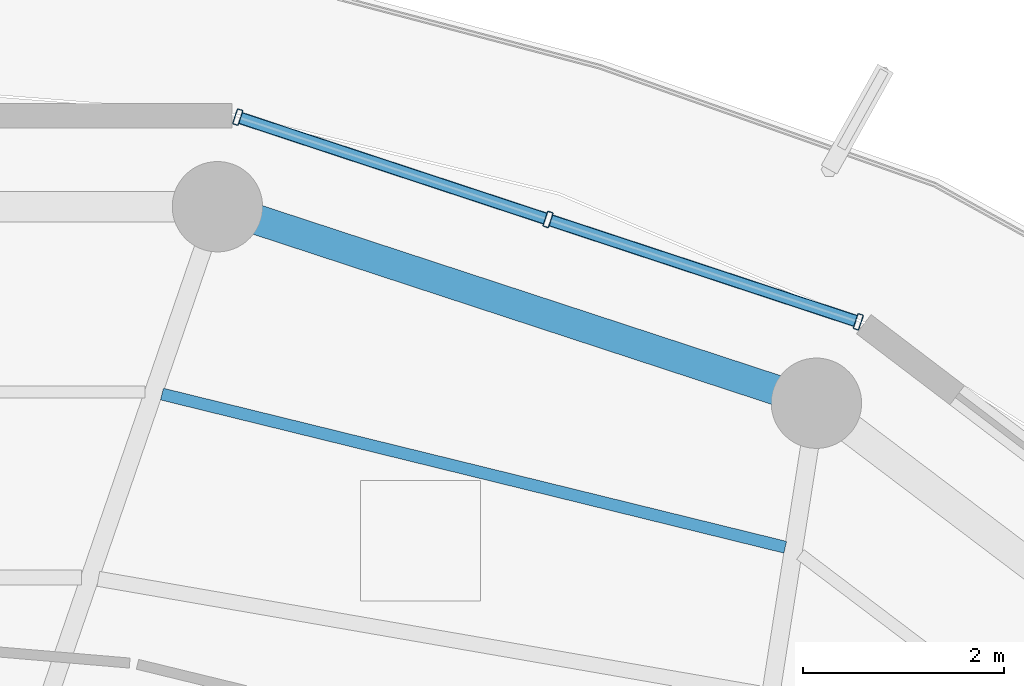
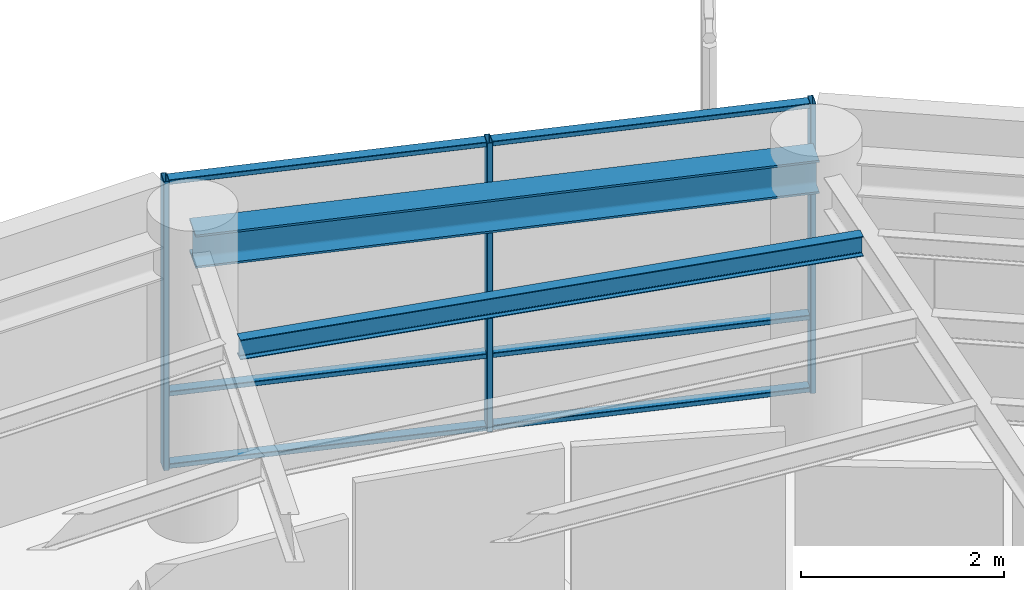
# One storey, part 14 of 23: 9 members, 2 beams, 1 element without a shape of its own.
"""IFC4 building model written with IfcOpenShell, lengths in metres."""

from ifc_helpers import new_model, si_unit, direction, frame, origin, origin_2d, place, context, subcontext, project, spatial, hollow_rectangle, i_section, extrude, material, layer, layer_set, material_profile, profile_set, type_object, element, aggregate, save


model = new_model("IFC4")

# Units and contexts
model_context = context("Model", 3, precision=1e-05, world=origin(), true_north=direction((0.0, 1.0)))
body_context = subcontext(model_context, "Body", "Model", "MODEL_VIEW")
ifc_project = project(units=[si_unit("LENGTHUNIT", "METRE"), si_unit("AREAUNIT", "SQUARE_METRE"), si_unit("VOLUMEUNIT", "CUBIC_METRE"), si_unit("PLANEANGLEUNIT", "RADIAN"), si_unit("MASSUNIT", "GRAM", prefix="KILO")], contexts=[model_context])

# Site, building, storey
site_placement = place(None, origin())
site = spatial("IfcSite", under=ifc_project, at=site_placement, CompositionType="ELEMENT")
building_placement = place(site_placement, origin())
building = spatial("IfcBuilding", under=site, at=building_placement, Name="Kelanora Arch Commons", CompositionType="ELEMENT")
storey_placement = place(building_placement, frame((0.0, 0.0, 282.449951171875)))
storey = spatial("IfcBuildingStorey", under=building, at=storey_placement, Name="L72", CompositionType="ELEMENT", Elevation=282.449951171875)

# Beams
ifc_material_1 = material(Name="Steel S355", Category="steel")
ifc_material_profile_1 = material_profile(ifc_material_1, i_section(OverallWidth=0.1201171875, OverallDepth=0.239990234375, WebThickness=0.006103515625, FlangeThickness=0.009765625, FilletRadius=0.014892578125, at=origin_2d()), Name="IPE240")
ifc_profile_set_1 = profile_set([ifc_material_profile_1], Name="Steel S355")
beam_type_1 = type_object("IfcBeamType", Name="BM-JST-02", PredefinedType="JOIST", material=ifc_profile_set_1)
beam_1_placement = place(storey_placement, frame((82.82958984375, 70.837890625, 3.3701171875), z_axis=(-0.971109719488, 0.23863342749, 0.0), x_axis=(-0.23863342749, -0.971109719488, 0.0)))
element("IfcBeam", 1, at=beam_1_placement, inside=storey, type_object=beam_type_1, Name="Secondary Chord Joist BJC-06 L72", PredefinedType="JOIST", context=body_context, shape_type="SweptSolid", body=[
    extrude(i_section(OverallWidth=0.1201171875, OverallDepth=0.239990234375, WebThickness=0.006103515625, FlangeThickness=0.009765625, FilletRadius=0.014892578125, at=origin_2d()), origin(), (0.0, 0.0, 1.0), 6.39208984375),
])
ifc_material_profile_2 = material_profile(ifc_material_1, i_section(OverallWidth=0.300048828125, OverallDepth=0.39990234375, WebThickness=0.013427734375, FlangeThickness=0.02392578125, FilletRadius=0.027099609375, at=origin_2d()), Name="HEB400")
ifc_profile_set_2 = profile_set([ifc_material_profile_2], Name="Steel S355")
beam_type_2 = type_object("IfcBeamType", Name="BM-SPN-Z4", PredefinedType="SPANDREL", material=ifc_profile_set_2)
beam_2_placement = place(storey_placement, frame((83.139892578125, 72.272216796875, 3.2900390625), z_axis=(-0.950165923039, 0.311744636996, 0.0), x_axis=(-0.311744636996, -0.950165923039, 0.0)))
element("IfcBeam", 2, at=beam_2_placement, inside=storey, type_object=beam_type_2, Name="Perimeter Spandrel Beam BS-06 L72", PredefinedType="SPANDREL", context=body_context, shape_type="SweptSolid", body=[
    extrude(i_section(OverallWidth=0.300048828125, OverallDepth=0.39990234375, WebThickness=0.013427734375, FlangeThickness=0.02392578125, FilletRadius=0.027099609375, at=origin_2d()), origin(), (0.0, 0.0, 1.0), 6.278564453125),
])

# Curtain wall, members
ifc_material_2 = material(Name="Terracotta ceramic-fritted low-E glass and aluminium", Category="masonry")
ifc_layer = layer(ifc_material_2, 0.18994140625)
ifc_layer_set = layer_set([ifc_layer], Name="Terracotta ceramic-fritted low-E glass and aluminium")
curtain_wall_type = type_object("IfcCurtainWallType", Name="CW-SYS-03", PredefinedType="NOTDEFINED", material=ifc_layer_set)
curtain_wall_placement = place(storey_placement, origin())
curtain_wall = element("IfcCurtainWall", 3, at=curtain_wall_placement, inside=storey, type_object=curtain_wall_type, Name="Unitised Curtain Wall L72-B03", PredefinedType="NOTDEFINED")
ifc_material_3 = material(Name="Powder-coated aluminium terracotta", Category="masonry")
ifc_material_profile_3 = material_profile(ifc_material_3, hollow_rectangle(XDim=0.159912109375, YDim=0.06005859375, WallThickness=0.0048828125, InnerFilletRadius=0.0048828125, OuterFilletRadius=0.010009765625, at=origin_2d()), Name="CWM160x60")
ifc_profile_set_3 = profile_set([ifc_material_profile_3], Name="Powder-coated aluminium terracotta")
member_type_1 = type_object("IfcMemberType", Name="CWM-STD", PredefinedType="MULLION", material=ifc_profile_set_3)
member_1_placement = place(storey_placement, frame((83.557373046875, 73.0830078125, 0.0), z_axis=(0.0, 0.0, 1.0), x_axis=(-0.313252785344, -0.949669780752, 0.0)))
member_1 = element("IfcMember", 4, at=member_1_placement, type_object=member_type_1, Name="CW-03 mullion 1", PredefinedType="MULLION", context=body_context, shape_type="SweptSolid", body=[
    extrude(hollow_rectangle(XDim=0.159912109375, YDim=0.06005859375, WallThickness=0.0048828125, InnerFilletRadius=0.0048828125, OuterFilletRadius=0.010009765625, at=origin_2d()), origin(), (0.0, 0.0, 1.0), 3.47509765625),
])
member_2_placement = place(storey_placement, frame((80.467041015625, 74.102294921875, 0.0), z_axis=(0.0, 0.0, 1.0), x_axis=(-0.313252785344, -0.949669780752, 0.0)))
member_2 = element("IfcMember", 5, at=member_2_placement, type_object=member_type_1, Name="CW-03 mullion 2", PredefinedType="MULLION", context=body_context, shape_type="SweptSolid", body=[
    extrude(hollow_rectangle(XDim=0.159912109375, YDim=0.06005859375, WallThickness=0.0048828125, InnerFilletRadius=0.0048828125, OuterFilletRadius=0.010009765625, at=origin_2d()), origin(), (0.0, 0.0, 1.0), 3.47509765625),
])
member_3_placement = place(storey_placement, frame((77.376708984375, 75.12158203125, 0.0), z_axis=(0.0, 0.0, 1.0), x_axis=(-0.313252785344, -0.949669780752, 0.0)))
member_3 = element("IfcMember", 6, at=member_3_placement, type_object=member_type_1, Name="CW-03 mullion 3", PredefinedType="MULLION", context=body_context, shape_type="SweptSolid", body=[
    extrude(hollow_rectangle(XDim=0.159912109375, YDim=0.06005859375, WallThickness=0.0048828125, InnerFilletRadius=0.0048828125, OuterFilletRadius=0.010009765625, at=origin_2d()), origin(), (0.0, 0.0, 1.0), 3.47509765625),
])
ifc_material_profile_4 = material_profile(ifc_material_3, hollow_rectangle(XDim=0.1201171875, YDim=0.06005859375, WallThickness=0.0048828125, InnerFilletRadius=0.0048828125, OuterFilletRadius=0.010009765625, at=origin_2d()), Name="CWT120x60")
ifc_profile_set_4 = profile_set([ifc_material_profile_4], Name="Powder-coated aluminium terracotta")
member_type_2 = type_object("IfcMemberType", Name="CWT-STD", PredefinedType="USERDEFINED", material=ifc_profile_set_4)
member_4_placement = place(storey_placement, frame((83.52880859375, 73.09228515625, 0.030029296875), z_axis=(-0.949672315102, 0.313245102003, 0.0), x_axis=(-0.313245102003, -0.949672315102, 0.0)))
member_4 = element("IfcMember", 7, at=member_4_placement, type_object=member_type_2, Name="CW-03 transom 1.1", ObjectType="TRANSOM", PredefinedType="USERDEFINED", context=body_context, shape_type="SweptSolid", body=[
    extrude(hollow_rectangle(XDim=0.1201171875, YDim=0.06005859375, WallThickness=0.0048828125, InnerFilletRadius=0.0048828125, OuterFilletRadius=0.010009765625, at=origin_2d()), origin(), (0.0, 0.0, 1.0), 3.19384765625),
])
member_5_placement = place(storey_placement, frame((83.52880859375, 73.09228515625, 0.900146484375), z_axis=(-0.949672315102, 0.313245102003, 0.0), x_axis=(-0.313245102003, -0.949672315102, 0.0)))
member_5 = element("IfcMember", 8, at=member_5_placement, type_object=member_type_2, Name="CW-03 transom 1.2", ObjectType="TRANSOM", PredefinedType="USERDEFINED", context=body_context, shape_type="SweptSolid", body=[
    extrude(hollow_rectangle(XDim=0.1201171875, YDim=0.06005859375, WallThickness=0.0048828125, InnerFilletRadius=0.0048828125, OuterFilletRadius=0.010009765625, at=origin_2d()), origin(), (0.0, 0.0, 1.0), 3.19384765625),
])
member_6_placement = place(storey_placement, frame((83.52880859375, 73.09228515625, 3.445068359375), z_axis=(-0.949672315102, 0.313245102003, 0.0), x_axis=(-0.313245102003, -0.949672315102, 0.0)))
member_6 = element("IfcMember", 9, at=member_6_placement, type_object=member_type_2, Name="CW-03 transom 1.3", ObjectType="TRANSOM", PredefinedType="USERDEFINED", context=body_context, shape_type="SweptSolid", body=[
    extrude(hollow_rectangle(XDim=0.1201171875, YDim=0.06005859375, WallThickness=0.0048828125, InnerFilletRadius=0.0048828125, OuterFilletRadius=0.010009765625, at=origin_2d()), origin(), (0.0, 0.0, 1.0), 3.19384765625),
])
member_7_placement = place(storey_placement, frame((80.4384765625, 74.111572265625, 0.030029296875), z_axis=(-0.949649574195, 0.313314037719, 0.0), x_axis=(-0.313314037719, -0.949649574195, 0.0)))
member_7 = element("IfcMember", 10, at=member_7_placement, type_object=member_type_2, Name="CW-03 transom 2.1", ObjectType="TRANSOM", PredefinedType="USERDEFINED", context=body_context, shape_type="SweptSolid", body=[
    extrude(hollow_rectangle(XDim=0.1201171875, YDim=0.06005859375, WallThickness=0.0048828125, InnerFilletRadius=0.0048828125, OuterFilletRadius=0.010009765625, at=origin_2d()), origin(), (0.0, 0.0, 1.0), 3.194091796875),
])
member_8_placement = place(storey_placement, frame((80.4384765625, 74.111572265625, 0.900146484375), z_axis=(-0.949649574195, 0.313314037719, 0.0), x_axis=(-0.313314037719, -0.949649574195, 0.0)))
member_8 = element("IfcMember", 11, at=member_8_placement, type_object=member_type_2, Name="CW-03 transom 2.2", ObjectType="TRANSOM", PredefinedType="USERDEFINED", context=body_context, shape_type="SweptSolid", body=[
    extrude(hollow_rectangle(XDim=0.1201171875, YDim=0.06005859375, WallThickness=0.0048828125, InnerFilletRadius=0.0048828125, OuterFilletRadius=0.010009765625, at=origin_2d()), origin(), (0.0, 0.0, 1.0), 3.194091796875),
])
member_9_placement = place(storey_placement, frame((80.4384765625, 74.111572265625, 3.445068359375), z_axis=(-0.949649574195, 0.313314037719, 0.0), x_axis=(-0.313314037719, -0.949649574195, 0.0)))
member_9 = element("IfcMember", 12, at=member_9_placement, type_object=member_type_2, Name="CW-03 transom 2.3", ObjectType="TRANSOM", PredefinedType="USERDEFINED", context=body_context, shape_type="SweptSolid", body=[
    extrude(hollow_rectangle(XDim=0.1201171875, YDim=0.06005859375, WallThickness=0.0048828125, InnerFilletRadius=0.0048828125, OuterFilletRadius=0.010009765625, at=origin_2d()), origin(), (0.0, 0.0, 1.0), 3.194091796875),
])
aggregate(curtain_wall, [member_1, member_2, member_3, member_4, member_5, member_6, member_7, member_8, member_9])

save(model, "model.ifc")
